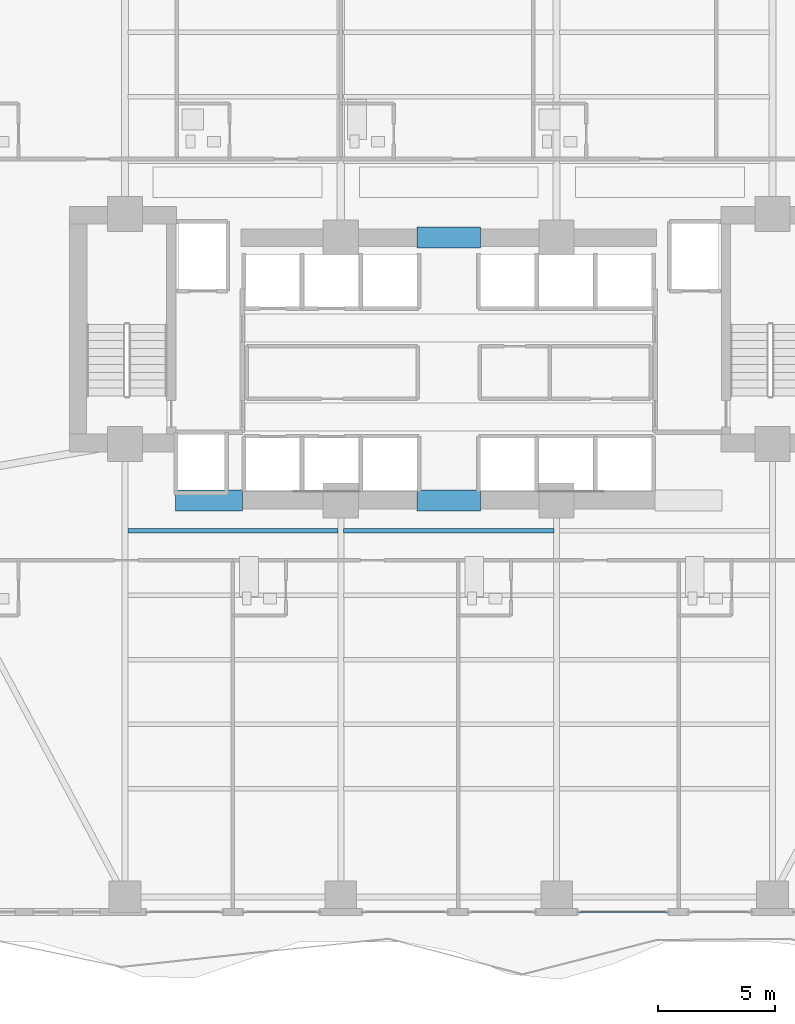
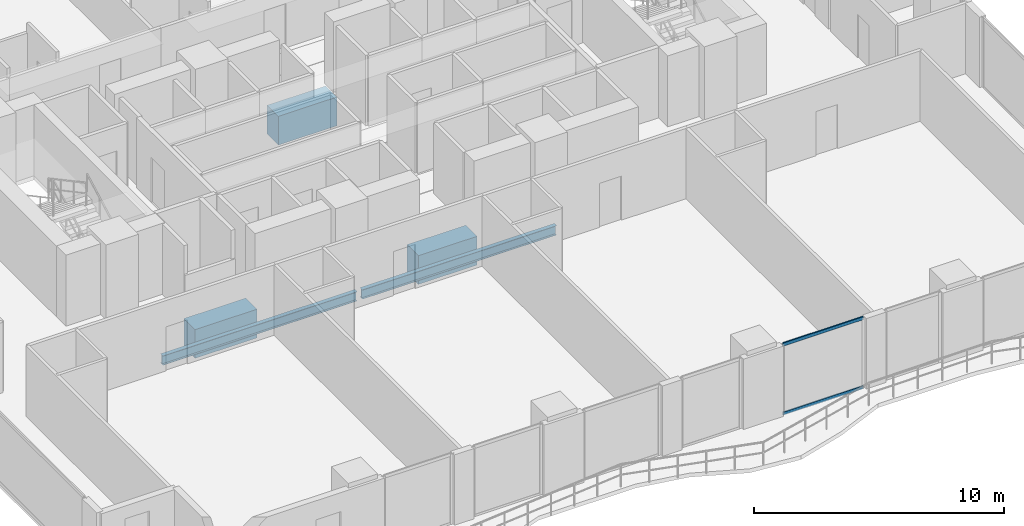
# One storey, part 8 of 28: 5 beams, 2 members, 1 element without a shape of its own.
"""IFC4 building model written with IfcOpenShell, lengths in metres."""

from ifc_helpers import new_model, si_unit, direction, frame, origin, origin_2d, place, context, subcontext, project, spatial, rectangle, hollow_rectangle, i_section, extrude, material, layer, layer_set, material_profile, profile_set, type_object, element, aggregate, save


model = new_model("IFC4")

# Units and contexts
model_context = context("Model", 3, precision=1e-05, world=origin(), true_north=direction((0.0, 1.0)))
body_context = subcontext(model_context, "Body", "Model", "MODEL_VIEW")
ifc_project = project(units=[si_unit("LENGTHUNIT", "METRE"), si_unit("AREAUNIT", "SQUARE_METRE"), si_unit("VOLUMEUNIT", "CUBIC_METRE"), si_unit("PLANEANGLEUNIT", "RADIAN"), si_unit("MASSUNIT", "GRAM", prefix="KILO")], contexts=[model_context])

# Site, building, storey
site_placement = place(None, origin())
site = spatial("IfcSite", under=ifc_project, at=site_placement, CompositionType="ELEMENT")
building_placement = place(site_placement, origin())
building = spatial("IfcBuilding", under=site, at=building_placement, Name="Zuhayl Quay Hotel", CompositionType="ELEMENT")
storey_placement = place(building_placement, frame((0.0, 0.0, 121.199951171875)))
storey = spatial("IfcBuildingStorey", under=building, at=storey_placement, Name="L30", CompositionType="ELEMENT", Elevation=121.199951171875)

# Beams
ifc_material_1 = material(Name="Concrete C60/75", Category="concrete")
ifc_material_profile_1 = material_profile(ifc_material_1, rectangle(XDim=0.89990234375, YDim=1.39990234375, at=origin_2d()), Name="RC900X1400")
ifc_profile_set_1 = profile_set([ifc_material_profile_1], Name="Concrete C60/75")
beam_type_1 = type_object("IfcBeamType", Name="BM_CB1_RC900", PredefinedType="T_BEAM", material=ifc_profile_set_1)
beam_placement = place(storey_placement, frame((-11.64990234375, 2.14990234375, -0.919921875), z_axis=(1.0, 0.0, 0.0), x_axis=(0.0, 1.0, 0.0)))
element("IfcBeam", 1, at=beam_placement, inside=storey, type_object=beam_type_1, Name="L30 Core Coupling Beam SW", PredefinedType="T_BEAM", context=body_context, shape_type="SweptSolid", body=[
    extrude(rectangle(XDim=0.89990234375, YDim=1.39990234375, at=origin_2d()), origin(), (0.0, 0.0, 1.0), 2.849853515625),
])
for number, where, z_axis, x_axis, name in (
    (2, (-1.35009765625, 13.35009765625, -0.919921875), (1.0, 0.0, 0.0), (0.0, 1.0, 0.0), "L30 Core Coupling Beam North"),
    (3, (-1.35009765625, 2.14990234375, -0.919921875), (1.0, 0.0, 0.0), (0.0, 1.0, 0.0), "L30 Core Coupling Beam South"),
):
    element("IfcBeam", number, at=place(storey_placement, frame(where, z_axis=z_axis, x_axis=x_axis)), inside=storey, type_object=beam_type_1, Name=name, PredefinedType="T_BEAM", context=body_context, shape_type="SweptSolid", body=[
        extrude(rectangle(XDim=0.89990234375, YDim=1.39990234375, at=origin_2d()), origin(), (0.0, 0.0, 1.0), 2.7001953125),
    ])
ifc_material_2 = material(Name="Steel ASTM A992 Grade 50", Category="steel")
ifc_material_profile_2 = material_profile(ifc_material_2, i_section(OverallWidth=0.18994140625, OverallDepth=0.45703125, WebThickness=0.009033203125, FlangeThickness=0.014404296875, at=origin_2d()), Name="W18X50")
ifc_profile_set_2 = profile_set([ifc_material_profile_2], Name="Steel ASTM A992 Grade 50")
beam_type_2 = type_object("IfcBeamType", Name="BM_J2_W18X50", PredefinedType="JOIST", material=ifc_profile_set_2)
for number, where, z_axis, x_axis, name in (
    (4, (-13.680908203125, 0.85009765625, -0.448486328125), (1.0, 0.0, 0.0), (0.0, 1.0, 0.0), "L30 Floor Beam FJ_L30_9_1"),
    (5, (-4.48095703125, 0.85009765625, -0.448486328125), (1.0, 0.0, 0.0), (0.0, 1.0, 0.0), "L30 Floor Beam FJ_L30_9_2"),
):
    element("IfcBeam", number, at=place(storey_placement, frame(where, z_axis=z_axis, x_axis=x_axis)), inside=storey, type_object=beam_type_2, Name=name, PredefinedType="JOIST", context=body_context, shape_type="SweptSolid", body=[
        extrude(i_section(OverallWidth=0.18994140625, OverallDepth=0.45703125, WebThickness=0.009033203125, FlangeThickness=0.014404296875, at=origin_2d()), origin(), (0.0, 0.0, 1.0), 8.9619140625),
    ])

# Curtain wall, members
ifc_material_3 = material(Name="Anodised Aluminium 6063-T6", Category="aluminium")
ifc_layer = layer(ifc_material_3, 0.179931640625, Name="Anodised Aluminium 6063-T6", Category="aluminium")
ifc_layer_set = layer_set([ifc_layer], Name="Anodised Aluminium 6063-T6")
curtain_wall_type = type_object("IfcCurtainWallType", Name="CW_SYS_Z2", PredefinedType="USERDEFINED", material=ifc_layer_set)
curtain_wall_placement = place(storey_placement, origin())
curtain_wall = element("IfcCurtainWall", 6, at=curtain_wall_placement, inside=storey, type_object=curtain_wall_type, Name="L30 Curtain Wall ENV_L30_S_CW3", ObjectType="UNITISED CURTAIN WALL", PredefinedType="USERDEFINED")
ifc_material_4 = material(Name="Black-anodised aluminium 6063-T6", Category="aluminium")
ifc_material_profile_3 = material_profile(ifc_material_4, hollow_rectangle(XDim=0.06005859375, YDim=0.14990234375, WallThickness=0.00341796875, at=origin_2d()), Name="ALU150X60")
ifc_profile_set_3 = profile_set([ifc_material_profile_3], Name="Black-anodised aluminium 6063-T6")
member_type = type_object("IfcMemberType", Name="MB_CW_TRN_150", PredefinedType="USERDEFINED", material=ifc_profile_set_3)
member_1_placement = place(storey_placement, frame((9.284912109375, -15.39990234375, 0.030029296875), z_axis=(-1.0, 0.0, 0.0), x_axis=(0.0, -1.0, 0.0)))
member_1 = element("IfcMember", 7, at=member_1_placement, type_object=member_type, Name="CW-Z2 transom 1.1", ObjectType="TRANSOM", PredefinedType="USERDEFINED", context=body_context, shape_type="SweptSolid", body=[
    extrude(hollow_rectangle(XDim=0.06005859375, YDim=0.14990234375, WallThickness=0.00341796875, at=origin_2d()), origin(), (0.0, 0.0, 1.0), 3.699951171875),
])
member_2_placement = place(storey_placement, frame((9.284912109375, -15.39990234375, 3.400146484375), z_axis=(-1.0, 0.0, 0.0), x_axis=(0.0, -1.0, 0.0)))
member_2 = element("IfcMember", 8, at=member_2_placement, type_object=member_type, Name="CW-Z2 transom 1.2", ObjectType="TRANSOM", PredefinedType="USERDEFINED", context=body_context, shape_type="SweptSolid", body=[
    extrude(hollow_rectangle(XDim=0.06005859375, YDim=0.14990234375, WallThickness=0.00341796875, at=origin_2d()), origin(), (0.0, 0.0, 1.0), 3.699951171875),
])
aggregate(curtain_wall, [member_1, member_2])

save(model, "model.ifc")
